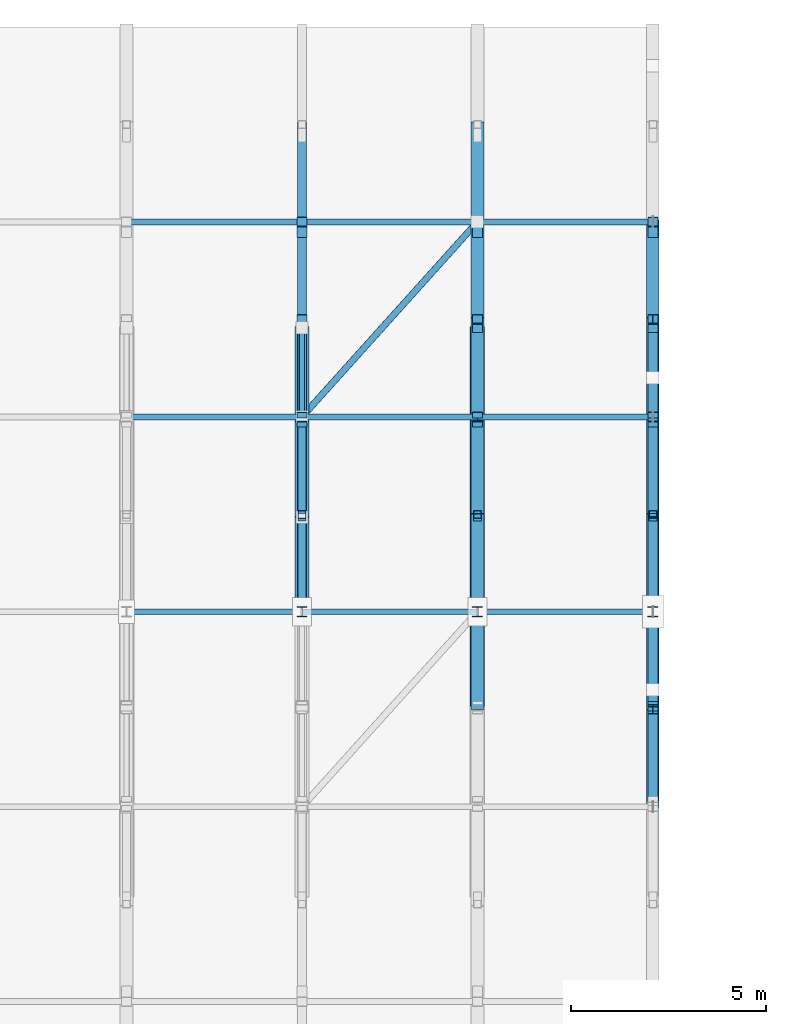
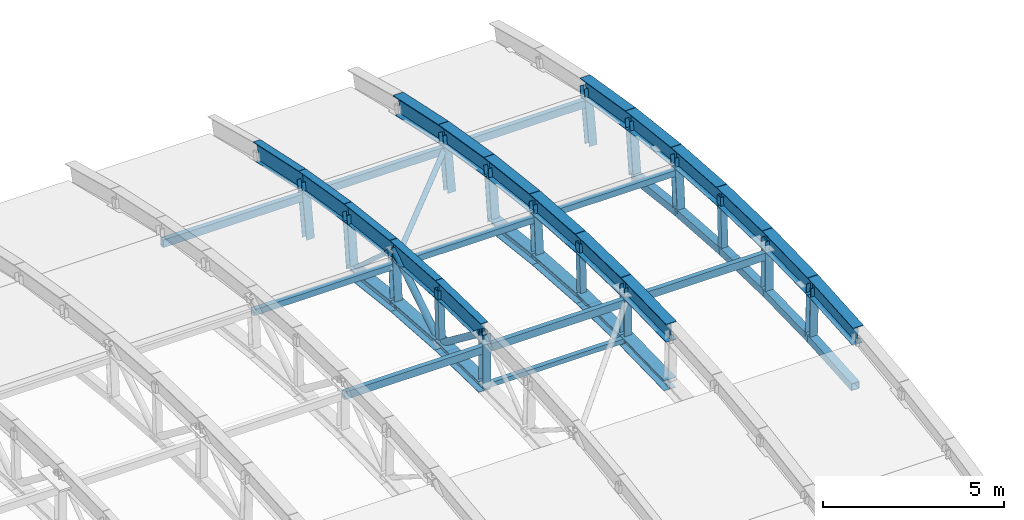
# One storey, part 28 of 53: 42 members, 17 beams.
"""IFC4 building model written with IfcOpenShell, lengths in metres."""

from ifc_helpers import new_model, si_unit, direction, frame, origin, origin_2d, place, context, subcontext, project, spatial, hollow_rectangle, hollow_circle, i_section, extrude, material, material_profile, profile_set, type_object, element, save


model = new_model("IFC4")

# Units and contexts
model_context = context("Model", 3, precision=1e-05, world=origin(), true_north=direction((0.0, 1.0)))
body_context = subcontext(model_context, "Body", "Model", "MODEL_VIEW")
ifc_project = project(units=[si_unit("LENGTHUNIT", "METRE"), si_unit("AREAUNIT", "SQUARE_METRE"), si_unit("VOLUMEUNIT", "CUBIC_METRE"), si_unit("PLANEANGLEUNIT", "RADIAN"), si_unit("MASSUNIT", "GRAM", prefix="KILO")], contexts=[model_context])

# Site, building, storey
site_placement = place(None, origin())
site = spatial("IfcSite", under=ifc_project, at=site_placement, CompositionType="ELEMENT")
building_placement = place(site_placement, origin())
building = spatial("IfcBuilding", under=site, at=building_placement, Name="Cazmaro Siding Exhibition Halls", CompositionType="ELEMENT")
storey_placement = place(building_placement, frame((0.0, 0.0, 21.0)))
storey = spatial("IfcBuildingStorey", under=building, at=storey_placement, Name="L04", CompositionType="ELEMENT", Elevation=21.0)

# Beams
ifc_material_1 = material(Name="Steel ASTM A992 Grade 50", Category="steel")
ifc_material_profile_1 = material_profile(ifc_material_1, i_section(OverallWidth=0.327880859375, OverallDepth=0.626953125, WebThickness=0.01708984375, FlangeThickness=0.028076171875, at=origin_2d()), Name="W24X146")
ifc_profile_set_1 = profile_set([ifc_material_profile_1], Name="Steel ASTM A992 Grade 50")
beam_type_1 = type_object("IfcBeamType", Name="AR-01", PredefinedType="USERDEFINED", material=ifc_profile_set_1)
for number, where, z_axis, x_axis, name in (
    (1, (166.5, 91.5, 2.44189453125), (0.0, 0.999730009742, 0.023235912336), (-1.0, 0.0, 0.0), "Space frame barrel vault arched rib AR-01 BM-1194"),
    (2, (166.5, 94.0, 2.5), (0.0, 0.999730009742, -0.023235912336), (-1.0, 0.0, 0.0), "Space frame barrel vault arched rib AR-01 BM-1195"),
):
    element("IfcBeam", number, at=place(storey_placement, frame(where, z_axis=z_axis, x_axis=x_axis)), inside=storey, type_object=beam_type_1, Name=name, ObjectType="ARCHED RIB", PredefinedType="USERDEFINED", context=body_context, shape_type="SweptSolid", body=[
        extrude(i_section(OverallWidth=0.327880859375, OverallDepth=0.626953125, WebThickness=0.01708984375, FlangeThickness=0.028076171875, at=origin_2d()), origin(), (0.0, 0.0, 1.0), 2.500732421875),
    ])
beam_1_placement = place(storey_placement, frame((166.5, 96.5, 2.44189453125), z_axis=(0.0, 0.997537204184, -0.070139334669), x_axis=(-1.0, 0.0, 0.0)))
element("IfcBeam", 3, at=beam_1_placement, inside=storey, type_object=beam_type_1, Name="Space frame barrel vault arched rib AR-01 BM-1196", ObjectType="ARCHED RIB", PredefinedType="USERDEFINED", context=body_context, shape_type="SweptSolid", body=[
    extrude(i_section(OverallWidth=0.327880859375, OverallDepth=0.626953125, WebThickness=0.01708984375, FlangeThickness=0.028076171875, at=origin_2d()), origin(), (0.0, 0.0, 1.0), 2.506103515625),
])
beam_2_placement = place(storey_placement, frame((166.5, 99.0, 2.26611328125), z_axis=(0.0, 0.993147293786, -0.116869383693), x_axis=(-1.0, 0.0, 0.0)))
element("IfcBeam", 4, at=beam_2_placement, inside=storey, type_object=beam_type_1, Name="Space frame barrel vault arched rib AR-01 BM-1197", ObjectType="ARCHED RIB", PredefinedType="USERDEFINED", context=body_context, shape_type="SweptSolid", body=[
    extrude(i_section(OverallWidth=0.327880859375, OverallDepth=0.626953125, WebThickness=0.01708984375, FlangeThickness=0.028076171875, at=origin_2d()), origin(), (0.0, 0.0, 1.0), 2.517333984375),
])
beam_3_placement = place(storey_placement, frame((166.5, 101.5, 1.971923828125), z_axis=(0.0, 0.98649787474, -0.163774061236), x_axis=(-1.0, 0.0, 0.0)))
element("IfcBeam", 5, at=beam_3_placement, inside=storey, type_object=beam_type_1, Name="Space frame barrel vault arched rib AR-01 BM-1198", ObjectType="ARCHED RIB", PredefinedType="USERDEFINED", context=body_context, shape_type="SweptSolid", body=[
    extrude(i_section(OverallWidth=0.327880859375, OverallDepth=0.626953125, WebThickness=0.01708984375, FlangeThickness=0.028076171875, at=origin_2d()), origin(), (0.0, 0.0, 1.0), 2.5341796875),
])
beam_4_placement = place(storey_placement, frame((166.5, 104.0, 1.556884765625), z_axis=(0.0, 0.977710100146, -0.209959424826), x_axis=(-1.0, 0.0, 0.0)))
element("IfcBeam", 6, at=beam_4_placement, inside=storey, type_object=beam_type_1, Name="Space frame barrel vault arched rib AR-01 BM-1199", ObjectType="ARCHED RIB", PredefinedType="USERDEFINED", context=body_context, shape_type="SweptSolid", body=[
    extrude(i_section(OverallWidth=0.327880859375, OverallDepth=0.626953125, WebThickness=0.01708984375, FlangeThickness=0.028076171875, at=origin_2d()), origin(), (0.0, 0.0, 1.0), 2.556884765625),
])
ifc_material_2 = material(Name="Steel ASTM A992 Grade 50", Category="steel")
ifc_material_profile_2 = material_profile(ifc_material_2, i_section(OverallWidth=0.324951171875, OverallDepth=0.612060546875, WebThickness=0.012939453125, FlangeThickness=0.01904296875, at=origin_2d()), Name="W24X104")
ifc_profile_set_2 = profile_set([ifc_material_profile_2], Name="Steel ASTM A992 Grade 50")
beam_type_2 = type_object("IfcBeamType", Name="AR-02", PredefinedType="USERDEFINED", material=ifc_profile_set_2)
beam_5_placement = place(storey_placement, frame((171.0, 89.0, 2.26611328125), z_axis=(0.0, 0.997537204184, 0.070139334669), x_axis=(-1.0, 0.0, 0.0)))
element("IfcBeam", 7, at=beam_5_placement, inside=storey, type_object=beam_type_2, Name="Space frame barrel vault arched rib AR-02 BM-1217", ObjectType="ARCHED RIB", PredefinedType="USERDEFINED", context=body_context, shape_type="SweptSolid", body=[
    extrude(i_section(OverallWidth=0.324951171875, OverallDepth=0.612060546875, WebThickness=0.012939453125, FlangeThickness=0.01904296875, at=origin_2d()), origin(), (0.0, 0.0, 1.0), 2.506103515625),
])
for number, where, z_axis, x_axis, name in (
    (8, (171.0, 91.5, 2.44189453125), (0.0, 0.999730009742, 0.023235912336), (-1.0, 0.0, 0.0), "Space frame barrel vault arched rib AR-02 BM-1218"),
    (9, (171.0, 94.0, 2.5), (0.0, 0.999730009742, -0.023235912336), (-1.0, 0.0, 0.0), "Space frame barrel vault arched rib AR-02 BM-1219"),
):
    element("IfcBeam", number, at=place(storey_placement, frame(where, z_axis=z_axis, x_axis=x_axis)), inside=storey, type_object=beam_type_2, Name=name, ObjectType="ARCHED RIB", PredefinedType="USERDEFINED", context=body_context, shape_type="SweptSolid", body=[
        extrude(i_section(OverallWidth=0.324951171875, OverallDepth=0.612060546875, WebThickness=0.012939453125, FlangeThickness=0.01904296875, at=origin_2d()), origin(), (0.0, 0.0, 1.0), 2.500732421875),
    ])
beam_6_placement = place(storey_placement, frame((171.0, 96.5, 2.44189453125), z_axis=(0.0, 0.997537204184, -0.070139334669), x_axis=(-1.0, 0.0, 0.0)))
element("IfcBeam", 10, at=beam_6_placement, inside=storey, type_object=beam_type_2, Name="Space frame barrel vault arched rib AR-02 BM-1220", ObjectType="ARCHED RIB", PredefinedType="USERDEFINED", context=body_context, shape_type="SweptSolid", body=[
    extrude(i_section(OverallWidth=0.324951171875, OverallDepth=0.612060546875, WebThickness=0.012939453125, FlangeThickness=0.01904296875, at=origin_2d()), origin(), (0.0, 0.0, 1.0), 2.506103515625),
])
beam_7_placement = place(storey_placement, frame((171.0, 99.0, 2.26611328125), z_axis=(0.0, 0.993147293786, -0.116869383693), x_axis=(-1.0, 0.0, 0.0)))
element("IfcBeam", 11, at=beam_7_placement, inside=storey, type_object=beam_type_2, Name="Space frame barrel vault arched rib AR-02 BM-1221", ObjectType="ARCHED RIB", PredefinedType="USERDEFINED", context=body_context, shape_type="SweptSolid", body=[
    extrude(i_section(OverallWidth=0.324951171875, OverallDepth=0.612060546875, WebThickness=0.012939453125, FlangeThickness=0.01904296875, at=origin_2d()), origin(), (0.0, 0.0, 1.0), 2.517333984375),
])
beam_8_placement = place(storey_placement, frame((171.0, 101.5, 1.971923828125), z_axis=(0.0, 0.98649787474, -0.163774061236), x_axis=(-1.0, 0.0, 0.0)))
element("IfcBeam", 12, at=beam_8_placement, inside=storey, type_object=beam_type_2, Name="Space frame barrel vault arched rib AR-02 BM-1222", ObjectType="ARCHED RIB", PredefinedType="USERDEFINED", context=body_context, shape_type="SweptSolid", body=[
    extrude(i_section(OverallWidth=0.324951171875, OverallDepth=0.612060546875, WebThickness=0.012939453125, FlangeThickness=0.01904296875, at=origin_2d()), origin(), (0.0, 0.0, 1.0), 2.5341796875),
])
ifc_material_3 = material(Name="Steel ASTM A992 Grade 50", Category="steel")
ifc_material_profile_3 = material_profile(ifc_material_3, i_section(OverallWidth=0.22900390625, OverallDepth=0.612060546875, WebThickness=0.011962890625, FlangeThickness=0.02001953125, at=origin_2d()), Name="W24X84")
ifc_profile_set_3 = profile_set([ifc_material_profile_3], Name="Steel ASTM A992 Grade 50")
beam_type_3 = type_object("IfcBeamType", Name="AR-03", PredefinedType="USERDEFINED", material=ifc_profile_set_3)
beam_9_placement = place(storey_placement, frame((162.0, 94.0, 2.5), z_axis=(0.0, 0.999730009742, -0.023235912336), x_axis=(-1.0, 0.0, 0.0)))
element("IfcBeam", 13, at=beam_9_placement, inside=storey, type_object=beam_type_3, Name="Space frame barrel vault arched rib AR-03 BM-1171", ObjectType="ARCHED RIB", PredefinedType="USERDEFINED", context=body_context, shape_type="SweptSolid", body=[
    extrude(i_section(OverallWidth=0.22900390625, OverallDepth=0.612060546875, WebThickness=0.011962890625, FlangeThickness=0.02001953125, at=origin_2d()), origin(), (0.0, 0.0, 1.0), 2.500732421875),
])
beam_10_placement = place(storey_placement, frame((162.0, 96.5, 2.44189453125), z_axis=(0.0, 0.997537204184, -0.070139334669), x_axis=(-1.0, 0.0, 0.0)))
element("IfcBeam", 14, at=beam_10_placement, inside=storey, type_object=beam_type_3, Name="Space frame barrel vault arched rib AR-03 BM-1172", ObjectType="ARCHED RIB", PredefinedType="USERDEFINED", context=body_context, shape_type="SweptSolid", body=[
    extrude(i_section(OverallWidth=0.22900390625, OverallDepth=0.612060546875, WebThickness=0.011962890625, FlangeThickness=0.02001953125, at=origin_2d()), origin(), (0.0, 0.0, 1.0), 2.506103515625),
])
beam_11_placement = place(storey_placement, frame((162.0, 99.0, 2.26611328125), z_axis=(0.0, 0.993147293786, -0.116869383693), x_axis=(-1.0, 0.0, 0.0)))
element("IfcBeam", 15, at=beam_11_placement, inside=storey, type_object=beam_type_3, Name="Space frame barrel vault arched rib AR-03 BM-1173", ObjectType="ARCHED RIB", PredefinedType="USERDEFINED", context=body_context, shape_type="SweptSolid", body=[
    extrude(i_section(OverallWidth=0.22900390625, OverallDepth=0.612060546875, WebThickness=0.011962890625, FlangeThickness=0.02001953125, at=origin_2d()), origin(), (0.0, 0.0, 1.0), 2.517333984375),
])
beam_12_placement = place(storey_placement, frame((162.0, 101.5, 1.971923828125), z_axis=(0.0, 0.98649787474, -0.163774061236), x_axis=(-1.0, 0.0, 0.0)))
element("IfcBeam", 16, at=beam_12_placement, inside=storey, type_object=beam_type_3, Name="Space frame barrel vault arched rib AR-03 BM-1174", ObjectType="ARCHED RIB", PredefinedType="USERDEFINED", context=body_context, shape_type="SweptSolid", body=[
    extrude(i_section(OverallWidth=0.22900390625, OverallDepth=0.612060546875, WebThickness=0.011962890625, FlangeThickness=0.02001953125, at=origin_2d()), origin(), (0.0, 0.0, 1.0), 2.5341796875),
])
beam_13_placement = place(storey_placement, frame((162.0, 104.0, 1.556884765625), z_axis=(0.0, 0.977710100146, -0.209959424826), x_axis=(-1.0, 0.0, 0.0)))
element("IfcBeam", 17, at=beam_13_placement, inside=storey, type_object=beam_type_3, Name="Space frame barrel vault arched rib AR-03 BM-1175", ObjectType="ARCHED RIB", PredefinedType="USERDEFINED", context=body_context, shape_type="SweptSolid", body=[
    extrude(i_section(OverallWidth=0.22900390625, OverallDepth=0.612060546875, WebThickness=0.011962890625, FlangeThickness=0.02001953125, at=origin_2d()), origin(), (0.0, 0.0, 1.0), 2.556884765625),
])

# Members
ifc_material_4 = material(Name="Steel ASTM A500 Grade C", Category="steel")
ifc_material_profile_4 = material_profile(ifc_material_4, hollow_rectangle(XDim=0.152099609375, YDim=0.152099609375, WallThickness=0.009033203125, at=origin_2d()), Name="HSS6X6X3/8")
ifc_profile_set_4 = profile_set([ifc_material_profile_4], Name="Steel ASTM A500 Grade C")
member_type_1 = type_object("IfcMemberType", Name="CS-01", PredefinedType="STRUT", material=ifc_profile_set_4)
member_1_placement = place(storey_placement, frame((162.0, 94.0, 0.699951171875), z_axis=(1.0, 0.0, 0.0), x_axis=(0.0, 1.0, 0.0)))
element("IfcMember", 18, at=member_1_placement, inside=storey, type_object=member_type_1, Name="Space frame vault ridge compression strut CS-01 MEM-2289", PredefinedType="STRUT", context=body_context, shape_type="SweptSolid", body=[
    extrude(hollow_rectangle(XDim=0.152099609375, YDim=0.152099609375, WallThickness=0.009033203125, at=origin_2d()), origin(), (0.0, 0.0, 1.0), 4.5),
])
ifc_material_5 = material(Name="Steel ASTM A500 Grade C", Category="steel")
ifc_material_profile_5 = material_profile(ifc_material_5, hollow_rectangle(XDim=0.152099609375, YDim=0.202880859375, WallThickness=0.011962890625, at=origin_2d()), Name="HSS8X6X1/2")
ifc_profile_set_5 = profile_set([ifc_material_profile_5], Name="Steel ASTM A500 Grade C")
member_type_2 = type_object("IfcMemberType", Name="RP-01", PredefinedType="PURLIN", material=ifc_profile_set_5)
for number, where, z_axis, x_axis, name in (
    (19, (157.5, 99.0, 1.72607421875), (1.0, 0.0, 0.0), (0.0, 1.0, 0.0), "Space frame barrel vault purlin RP-01 MEM-2269"),
    (20, (162.0, 99.0, 1.72607421875), (1.0, 0.0, 0.0), (0.0, 1.0, 0.0), "Space frame barrel vault purlin RP-01 MEM-2280"),
    (21, (166.5, 99.0, 1.72607421875), (1.0, 0.0, 0.0), (0.0, 1.0, 0.0), "Space frame barrel vault purlin RP-01 MEM-2297"),
):
    element("IfcMember", number, at=place(storey_placement, frame(where, z_axis=z_axis, x_axis=x_axis)), inside=storey, type_object=member_type_2, Name=name, PredefinedType="PURLIN", context=body_context, shape_type="SweptSolid", body=[
        extrude(hollow_rectangle(XDim=0.152099609375, YDim=0.202880859375, WallThickness=0.011962890625, at=origin_2d()), origin(), (0.0, 0.0, 1.0), 4.5),
    ])
ifc_material_6 = material(Name="Steel ASTM A500 Grade C", Category="steel")
ifc_material_profile_6 = material_profile(ifc_material_6, hollow_rectangle(XDim=0.152099609375, YDim=0.25390625, WallThickness=0.011962890625, at=origin_2d()), Name="HSS10X6X1/2")
ifc_profile_set_6 = profile_set([ifc_material_profile_6], Name="Steel ASTM A500 Grade C")
member_type_3 = type_object("IfcMemberType", Name="RP-04", PredefinedType="PURLIN", material=ifc_profile_set_6)
for number, where, z_axis, x_axis, name in (
    (22, (157.5, 94.0, 1.9599609375), (1.0, 0.0, 0.0), (0.0, 1.0, 0.0), "Space frame barrel vault purlin RP-04 MEM-2268"),
    (23, (157.5, 104.0, 1.01708984375), (1.0, 0.0, 0.0), (0.0, 1.0, 0.0), "Space frame barrel vault purlin RP-04 MEM-2270"),
    (24, (162.0, 94.0, 1.9599609375), (1.0, 0.0, 0.0), (0.0, 1.0, 0.0), "Space frame barrel vault purlin RP-04 MEM-2279"),
    (25, (162.0, 104.0, 1.01708984375), (1.0, 0.0, 0.0), (0.0, 1.0, 0.0), "Space frame barrel vault purlin RP-04 MEM-2281"),
    (26, (166.5, 94.0, 1.9599609375), (1.0, 0.0, 0.0), (0.0, 1.0, 0.0), "Space frame barrel vault purlin RP-04 MEM-2296"),
    (27, (166.5, 104.0, 1.01708984375), (1.0, 0.0, 0.0), (0.0, 1.0, 0.0), "Space frame barrel vault purlin RP-04 MEM-2298"),
):
    element("IfcMember", number, at=place(storey_placement, frame(where, z_axis=z_axis, x_axis=x_axis)), inside=storey, type_object=member_type_3, Name=name, PredefinedType="PURLIN", context=body_context, shape_type="SweptSolid", body=[
        extrude(hollow_rectangle(XDim=0.152099609375, YDim=0.25390625, WallThickness=0.011962890625, at=origin_2d()), origin(), (0.0, 0.0, 1.0), 4.5),
    ])
ifc_material_7 = material(Name="Steel ASTM A500 Grade C", Category="steel")
ifc_material_profile_7 = material_profile(ifc_material_7, hollow_rectangle(XDim=0.25390625, YDim=0.25390625, WallThickness=0.014892578125, at=origin_2d()), Name="HSS10X10X5/8")
ifc_profile_set_7 = profile_set([ifc_material_profile_7], Name="Steel ASTM A500 Grade C")
member_type_4 = type_object("IfcMemberType", Name="TC-01", PredefinedType="CHORD", material=ifc_profile_set_7)
member_2_placement = place(storey_placement, frame((171.0, 89.139892578125, 0.472900390625), z_axis=(0.0, 0.997529419526, 0.070249962135), x_axis=(-1.0, 0.0, 0.0)))
element("IfcMember", 28, at=member_2_placement, inside=storey, type_object=member_type_4, Name="Space frame barrel vault bottom chord TC-01 MEM-1927", PredefinedType="CHORD", context=body_context, shape_type="SweptSolid", body=[
    extrude(hollow_rectangle(XDim=0.25390625, YDim=0.25390625, WallThickness=0.014892578125, at=origin_2d()), origin(), (0.0, 0.0, 1.0), 2.436279296875),
])
for number, where, z_axis, x_axis, name in (
    (29, (171.0, 91.570068359375, 0.64404296875), (0.0, 0.99973541783, 0.023002050707), (-1.0, 0.0, 0.0), "Space frame barrel vault bottom chord TC-01 MEM-1928"),
    (30, (171.0, 94.0, 0.699951171875), (0.0, 0.99973541783, -0.023002050707), (-1.0, 0.0, 0.0), "Space frame barrel vault bottom chord TC-01 MEM-1929"),
):
    element("IfcMember", number, at=place(storey_placement, frame(where, z_axis=z_axis, x_axis=x_axis)), inside=storey, type_object=member_type_4, Name=name, PredefinedType="CHORD", context=body_context, shape_type="SweptSolid", body=[
        extrude(hollow_rectangle(XDim=0.25390625, YDim=0.25390625, WallThickness=0.014892578125, at=origin_2d()), origin(), (0.0, 0.0, 1.0), 2.4306640625),
    ])
member_3_placement = place(storey_placement, frame((171.0, 96.429931640625, 0.64404296875), z_axis=(0.0, 0.997529419526, -0.070249962135), x_axis=(-1.0, 0.0, 0.0)))
element("IfcMember", 31, at=member_3_placement, inside=storey, type_object=member_type_4, Name="Space frame barrel vault bottom chord TC-01 MEM-1930", PredefinedType="CHORD", context=body_context, shape_type="SweptSolid", body=[
    extrude(hollow_rectangle(XDim=0.25390625, YDim=0.25390625, WallThickness=0.014892578125, at=origin_2d()), origin(), (0.0, 0.0, 1.0), 2.436279296875),
])
member_4_placement = place(storey_placement, frame((171.0, 98.860107421875, 0.472900390625), z_axis=(0.0, 0.993149923187, -0.116847037079), x_axis=(-1.0, 0.0, 0.0)))
element("IfcMember", 32, at=member_4_placement, inside=storey, type_object=member_type_4, Name="Space frame barrel vault bottom chord TC-01 MEM-1931", PredefinedType="CHORD", context=body_context, shape_type="SweptSolid", body=[
    extrude(hollow_rectangle(XDim=0.25390625, YDim=0.25390625, WallThickness=0.014892578125, at=origin_2d()), origin(), (0.0, 0.0, 1.0), 2.44677734375),
])
ifc_material_8 = material(Name="Steel ASTM A992 Grade 50", Category="steel")
ifc_material_profile_8 = material_profile(ifc_material_8, i_section(OverallWidth=0.37109375, OverallDepth=0.364013671875, WebThickness=0.012939453125, FlangeThickness=0.02197265625, at=origin_2d()), Name="W14X109")
ifc_profile_set_8 = profile_set([ifc_material_profile_8], Name="Steel ASTM A992 Grade 50")
member_type_5 = type_object("IfcMemberType", Name="TC-06", PredefinedType="CHORD", material=ifc_profile_set_8)
member_5_placement = place(storey_placement, frame((162.0, 94.0, 0.699951171875), z_axis=(0.0, 0.99973541783, -0.023002050707), x_axis=(-1.0, 0.0, 0.0)))
element("IfcMember", 33, at=member_5_placement, inside=storey, type_object=member_type_5, Name="Space frame barrel vault bottom chord TC-06 MEM-1823", PredefinedType="CHORD", context=body_context, shape_type="SweptSolid", body=[
    extrude(i_section(OverallWidth=0.37109375, OverallDepth=0.364013671875, WebThickness=0.012939453125, FlangeThickness=0.02197265625, at=origin_2d()), origin(), (0.0, 0.0, 1.0), 2.4306640625),
])
member_6_placement = place(storey_placement, frame((162.0, 96.429931640625, 0.64404296875), z_axis=(0.0, 0.997529419526, -0.070249962135), x_axis=(-1.0, 0.0, 0.0)))
element("IfcMember", 34, at=member_6_placement, inside=storey, type_object=member_type_5, Name="Space frame barrel vault bottom chord TC-06 MEM-1825", PredefinedType="CHORD", context=body_context, shape_type="SweptSolid", body=[
    extrude(i_section(OverallWidth=0.37109375, OverallDepth=0.364013671875, WebThickness=0.012939453125, FlangeThickness=0.02197265625, at=origin_2d()), origin(), (0.0, 0.0, 1.0), 2.436279296875),
])
member_7_placement = place(storey_placement, frame((162.0, 98.860107421875, 0.472900390625), z_axis=(0.0, 0.993149923187, -0.116847037079), x_axis=(-1.0, 0.0, 0.0)))
element("IfcMember", 35, at=member_7_placement, inside=storey, type_object=member_type_5, Name="Space frame barrel vault bottom chord TC-06 MEM-1827", PredefinedType="CHORD", context=body_context, shape_type="SweptSolid", body=[
    extrude(i_section(OverallWidth=0.37109375, OverallDepth=0.364013671875, WebThickness=0.012939453125, FlangeThickness=0.02197265625, at=origin_2d()), origin(), (0.0, 0.0, 1.0), 2.44677734375),
])
for number, where, z_axis, x_axis, name in (
    (36, (166.5, 91.570068359375, 0.64404296875), (0.0, 0.99973541783, 0.023002050707), (-1.0, 0.0, 0.0), "Space frame barrel vault bottom chord TC-06 MEM-1881"),
    (37, (166.5, 94.0, 0.699951171875), (0.0, 0.99973541783, -0.023002050707), (-1.0, 0.0, 0.0), "Space frame barrel vault bottom chord TC-06 MEM-1882"),
):
    element("IfcMember", number, at=place(storey_placement, frame(where, z_axis=z_axis, x_axis=x_axis)), inside=storey, type_object=member_type_5, Name=name, PredefinedType="CHORD", context=body_context, shape_type="SweptSolid", body=[
        extrude(i_section(OverallWidth=0.37109375, OverallDepth=0.364013671875, WebThickness=0.012939453125, FlangeThickness=0.02197265625, at=origin_2d()), origin(), (0.0, 0.0, 1.0), 2.4306640625),
    ])
member_8_placement = place(storey_placement, frame((166.5, 96.429931640625, 0.64404296875), z_axis=(0.0, 0.997529419526, -0.070249962135), x_axis=(-1.0, 0.0, 0.0)))
element("IfcMember", 38, at=member_8_placement, inside=storey, type_object=member_type_5, Name="Space frame barrel vault bottom chord TC-06 MEM-1883", PredefinedType="CHORD", context=body_context, shape_type="SweptSolid", body=[
    extrude(i_section(OverallWidth=0.37109375, OverallDepth=0.364013671875, WebThickness=0.012939453125, FlangeThickness=0.02197265625, at=origin_2d()), origin(), (0.0, 0.0, 1.0), 2.436279296875),
])
member_9_placement = place(storey_placement, frame((166.5, 98.860107421875, 0.472900390625), z_axis=(0.0, 0.993149923187, -0.116847037079), x_axis=(-1.0, 0.0, 0.0)))
element("IfcMember", 39, at=member_9_placement, inside=storey, type_object=member_type_5, Name="Space frame barrel vault bottom chord TC-06 MEM-1884", PredefinedType="CHORD", context=body_context, shape_type="SweptSolid", body=[
    extrude(i_section(OverallWidth=0.37109375, OverallDepth=0.364013671875, WebThickness=0.012939453125, FlangeThickness=0.02197265625, at=origin_2d()), origin(), (0.0, 0.0, 1.0), 2.44677734375),
])
ifc_material_9 = material(Name="Steel ASTM A500 Grade C", Category="steel")
ifc_material_profile_9 = material_profile(ifc_material_9, hollow_rectangle(XDim=0.202880859375, YDim=0.202880859375, WallThickness=0.011962890625, at=origin_2d()), Name="HSS8X8X1/2")
ifc_profile_set_9 = profile_set([ifc_material_profile_9], Name="Steel ASTM A500 Grade C")
member_type_6 = type_object("IfcMemberType", Name="TP-01", PredefinedType="POST", material=ifc_profile_set_9)
for number, where, z_axis, x_axis, name in (
    (40, (162.0, 96.429931640625, 0.64404296875), (0.0, 0.038943818889, 0.999241401749), (-1.0, 0.0, 0.0), "Space frame barrel vault post TP-01 MEM-1859"),
    (41, (166.5, 96.429931640625, 0.64404296875), (0.0, 0.038943818889, 0.999241401749), (-1.0, 0.0, 0.0), "Space frame barrel vault post TP-01 MEM-1906"),
    (42, (171.0, 96.429931640625, 0.64404296875), (0.0, 0.038943818889, 0.999241401749), (-1.0, 0.0, 0.0), "Space frame barrel vault post TP-01 MEM-1953"),
):
    element("IfcMember", number, at=place(storey_placement, frame(where, z_axis=z_axis, x_axis=x_axis)), inside=storey, type_object=member_type_6, Name=name, PredefinedType="POST", context=body_context, shape_type="SweptSolid", body=[
        extrude(hollow_rectangle(XDim=0.202880859375, YDim=0.202880859375, WallThickness=0.011962890625, at=origin_2d()), origin(), (0.0, 0.0, 1.0), 1.79931640625),
    ])
ifc_material_10 = material(Name="Steel ASTM A992 Grade 50", Category="steel")
ifc_material_profile_10 = material_profile(ifc_material_10, i_section(OverallWidth=0.25390625, OverallDepth=0.25390625, WebThickness=0.009033203125, FlangeThickness=0.013916015625, at=origin_2d()), Name="W10X49")
ifc_profile_set_10 = profile_set([ifc_material_profile_10], Name="Steel ASTM A992 Grade 50")
member_type_7 = type_object("IfcMemberType", Name="TP-04", PredefinedType="POST", material=ifc_profile_set_10)
member_10_placement = place(storey_placement, frame((162.0, 94.0, 0.699951171875), z_axis=(0.0, 0.0, 1.0), x_axis=(1.0, 0.0, 0.0)))
element("IfcMember", 43, at=member_10_placement, inside=storey, type_object=member_type_7, Name="Space frame barrel vault post TP-04 MEM-1858", PredefinedType="POST", context=body_context, shape_type="SweptSolid", body=[
    extrude(i_section(OverallWidth=0.25390625, OverallDepth=0.25390625, WebThickness=0.009033203125, FlangeThickness=0.013916015625, at=origin_2d()), origin(), (0.0, 0.0, 1.0), 1.800048828125),
])
member_11_placement = place(storey_placement, frame((162.0, 98.860107421875, 0.472900390625), z_axis=(0.0, 0.077775943468, 0.996970863475), x_axis=(-1.0, 0.0, 0.0)))
element("IfcMember", 44, at=member_11_placement, inside=storey, type_object=member_type_7, Name="Space frame barrel vault post TP-04 MEM-1860", PredefinedType="POST", context=body_context, shape_type="SweptSolid", body=[
    extrude(i_section(OverallWidth=0.25390625, OverallDepth=0.25390625, WebThickness=0.009033203125, FlangeThickness=0.013916015625, at=origin_2d()), origin(), (0.0, 0.0, 1.0), 1.798583984375),
])
member_12_placement = place(storey_placement, frame((162.0, 101.2900390625, 0.18701171875), z_axis=(0.0, 0.116825484133, 0.993152458718), x_axis=(-1.0, 0.0, 0.0)))
element("IfcMember", 45, at=member_12_placement, inside=storey, type_object=member_type_7, Name="Space frame barrel vault post TP-04 MEM-1861", PredefinedType="POST", context=body_context, shape_type="SweptSolid", body=[
    extrude(i_section(OverallWidth=0.25390625, OverallDepth=0.25390625, WebThickness=0.009033203125, FlangeThickness=0.013916015625, at=origin_2d()), origin(), (0.0, 0.0, 1.0), 1.797119140625),
])
member_13_placement = place(storey_placement, frame((162.0, 103.719970703125, -0.217041015625), z_axis=(0.0, 0.155927668857, 0.987768475952), x_axis=(-1.0, 0.0, 0.0)))
element("IfcMember", 46, at=member_13_placement, inside=storey, type_object=member_type_7, Name="Space frame barrel vault post TP-04 MEM-1862", PredefinedType="POST", context=body_context, shape_type="SweptSolid", body=[
    extrude(i_section(OverallWidth=0.25390625, OverallDepth=0.25390625, WebThickness=0.009033203125, FlangeThickness=0.013916015625, at=origin_2d()), origin(), (0.0, 0.0, 1.0), 1.7958984375),
])
member_14_placement = place(storey_placement, frame((166.5, 94.0, 0.699951171875), z_axis=(0.0, 0.0, 1.0), x_axis=(1.0, 0.0, 0.0)))
element("IfcMember", 47, at=member_14_placement, inside=storey, type_object=member_type_7, Name="Space frame barrel vault post TP-04 MEM-1905", PredefinedType="POST", context=body_context, shape_type="SweptSolid", body=[
    extrude(i_section(OverallWidth=0.25390625, OverallDepth=0.25390625, WebThickness=0.009033203125, FlangeThickness=0.013916015625, at=origin_2d()), origin(), (0.0, 0.0, 1.0), 1.800048828125),
])
member_15_placement = place(storey_placement, frame((166.5, 98.860107421875, 0.472900390625), z_axis=(0.0, 0.077775943468, 0.996970863475), x_axis=(-1.0, 0.0, 0.0)))
element("IfcMember", 48, at=member_15_placement, inside=storey, type_object=member_type_7, Name="Space frame barrel vault post TP-04 MEM-1907", PredefinedType="POST", context=body_context, shape_type="SweptSolid", body=[
    extrude(i_section(OverallWidth=0.25390625, OverallDepth=0.25390625, WebThickness=0.009033203125, FlangeThickness=0.013916015625, at=origin_2d()), origin(), (0.0, 0.0, 1.0), 1.798583984375),
])
member_16_placement = place(storey_placement, frame((166.5, 101.2900390625, 0.18701171875), z_axis=(0.0, 0.116825484133, 0.993152458718), x_axis=(-1.0, 0.0, 0.0)))
element("IfcMember", 49, at=member_16_placement, inside=storey, type_object=member_type_7, Name="Space frame barrel vault post TP-04 MEM-1908", PredefinedType="POST", context=body_context, shape_type="SweptSolid", body=[
    extrude(i_section(OverallWidth=0.25390625, OverallDepth=0.25390625, WebThickness=0.009033203125, FlangeThickness=0.013916015625, at=origin_2d()), origin(), (0.0, 0.0, 1.0), 1.797119140625),
])
member_17_placement = place(storey_placement, frame((166.5, 103.719970703125, -0.217041015625), z_axis=(0.0, 0.155927668857, 0.987768475952), x_axis=(-1.0, 0.0, 0.0)))
element("IfcMember", 50, at=member_17_placement, inside=storey, type_object=member_type_7, Name="Space frame barrel vault post TP-04 MEM-1909", PredefinedType="POST", context=body_context, shape_type="SweptSolid", body=[
    extrude(i_section(OverallWidth=0.25390625, OverallDepth=0.25390625, WebThickness=0.009033203125, FlangeThickness=0.013916015625, at=origin_2d()), origin(), (0.0, 0.0, 1.0), 1.7958984375),
])
member_18_placement = place(storey_placement, frame((171.0, 91.570068359375, 0.64404296875), z_axis=(0.0, -0.038943818889, 0.999241401749), x_axis=(1.0, 0.0, 0.0)))
element("IfcMember", 51, at=member_18_placement, inside=storey, type_object=member_type_7, Name="Space frame barrel vault post TP-04 MEM-1951", PredefinedType="POST", context=body_context, shape_type="SweptSolid", body=[
    extrude(i_section(OverallWidth=0.25390625, OverallDepth=0.25390625, WebThickness=0.009033203125, FlangeThickness=0.013916015625, at=origin_2d()), origin(), (0.0, 0.0, 1.0), 1.79931640625),
])
member_19_placement = place(storey_placement, frame((171.0, 94.0, 0.699951171875), z_axis=(0.0, 0.0, 1.0), x_axis=(1.0, 0.0, 0.0)))
element("IfcMember", 52, at=member_19_placement, inside=storey, type_object=member_type_7, Name="Space frame barrel vault post TP-04 MEM-1952", PredefinedType="POST", context=body_context, shape_type="SweptSolid", body=[
    extrude(i_section(OverallWidth=0.25390625, OverallDepth=0.25390625, WebThickness=0.009033203125, FlangeThickness=0.013916015625, at=origin_2d()), origin(), (0.0, 0.0, 1.0), 1.800048828125),
])
member_20_placement = place(storey_placement, frame((171.0, 98.860107421875, 0.472900390625), z_axis=(0.0, 0.077775943468, 0.996970863475), x_axis=(-1.0, 0.0, 0.0)))
element("IfcMember", 53, at=member_20_placement, inside=storey, type_object=member_type_7, Name="Space frame barrel vault post TP-04 MEM-1954", PredefinedType="POST", context=body_context, shape_type="SweptSolid", body=[
    extrude(i_section(OverallWidth=0.25390625, OverallDepth=0.25390625, WebThickness=0.009033203125, FlangeThickness=0.013916015625, at=origin_2d()), origin(), (0.0, 0.0, 1.0), 1.798583984375),
])
member_21_placement = place(storey_placement, frame((171.0, 101.2900390625, 0.18701171875), z_axis=(0.0, 0.116825484133, 0.993152458718), x_axis=(-1.0, 0.0, 0.0)))
element("IfcMember", 54, at=member_21_placement, inside=storey, type_object=member_type_7, Name="Space frame barrel vault post TP-04 MEM-1955", PredefinedType="POST", context=body_context, shape_type="SweptSolid", body=[
    extrude(i_section(OverallWidth=0.25390625, OverallDepth=0.25390625, WebThickness=0.009033203125, FlangeThickness=0.013916015625, at=origin_2d()), origin(), (0.0, 0.0, 1.0), 1.797119140625),
])
member_22_placement = place(storey_placement, frame((171.0, 103.719970703125, -0.217041015625), z_axis=(0.0, 0.155927668857, 0.987768475952), x_axis=(-1.0, 0.0, 0.0)))
element("IfcMember", 55, at=member_22_placement, inside=storey, type_object=member_type_7, Name="Space frame barrel vault post TP-04 MEM-1956", PredefinedType="POST", context=body_context, shape_type="SweptSolid", body=[
    extrude(i_section(OverallWidth=0.25390625, OverallDepth=0.25390625, WebThickness=0.009033203125, FlangeThickness=0.013916015625, at=origin_2d()), origin(), (0.0, 0.0, 1.0), 1.7958984375),
])
ifc_material_11 = material(Name="Steel ASTM A500 Grade C", Category="steel")
ifc_material_profile_11 = material_profile(ifc_material_11, hollow_circle(Radius=0.109619140625, WallThickness=0.012939453125, at=origin_2d()), Name="PIPE8XS")
ifc_profile_set_11 = profile_set([ifc_material_profile_11], Name="Steel ASTM A500 Grade C")
member_type_8 = type_object("IfcMemberType", Name="WB-01", PredefinedType="BRACE", material=ifc_profile_set_11)
member_23_placement = place(storey_placement, frame((162.0, 94.0, 2.5), z_axis=(0.0, 0.794708988455, -0.60699062898), x_axis=(-1.0, 0.0, 0.0)))
element("IfcMember", 56, at=member_23_placement, inside=storey, type_object=member_type_8, Name="Space frame barrel vault diagonal WB-01 MEM-1824", PredefinedType="BRACE", context=body_context, shape_type="SweptSolid", body=[
    extrude(hollow_circle(Radius=0.109619140625, WallThickness=0.012939453125, at=origin_2d()), origin(), (0.0, 0.0, 1.0), 3.0576171875),
])
member_24_placement = place(storey_placement, frame((162.0, 96.429931640625, 0.64404296875), z_axis=(0.0, 0.84565684294, 0.533726993872), x_axis=(-1.0, 0.0, 0.0)))
element("IfcMember", 57, at=member_24_placement, inside=storey, type_object=member_type_8, Name="Space frame barrel vault diagonal WB-01 MEM-1826", PredefinedType="BRACE", context=body_context, shape_type="SweptSolid", body=[
    extrude(hollow_circle(Radius=0.109619140625, WallThickness=0.012939453125, at=origin_2d()), origin(), (0.0, 0.0, 1.0), 3.0390625),
])
ifc_material_12 = material(Name="Steel ASTM A500 Grade C", Category="steel")
ifc_material_profile_12 = material_profile(ifc_material_12, hollow_circle(Radius=0.083984375, WallThickness=0.01806640625, at=origin_2d()), Name="PIPE6XXS")
ifc_profile_set_12 = profile_set([ifc_material_profile_12], Name="Steel ASTM A500 Grade C")
member_type_9 = type_object("IfcMemberType", Name="WB-05", PredefinedType="BRACE", material=ifc_profile_set_12)
member_25_placement = place(storey_placement, frame((162.0, 99.0, 1.72607421875), z_axis=(0.66527981217, 0.7391997913, -0.104816220407), x_axis=(-0.743294146247, 0.668964731622, 0.0)))
element("IfcMember", 58, at=member_25_placement, inside=storey, type_object=member_type_9, Name="Space frame barrel vault wind brace WB-05 MEM-2287", PredefinedType="BRACE", context=body_context, shape_type="SweptSolid", body=[
    extrude(hollow_circle(Radius=0.083984375, WallThickness=0.01806640625, at=origin_2d()), origin(), (0.0, 0.0, 1.0), 6.76416015625),
])
ifc_material_13 = material(Name="Steel ASTM A500 Grade C", Category="steel")
ifc_material_profile_13 = material_profile(ifc_material_13, hollow_circle(Radius=0.070556640625, WallThickness=0.01904296875, at=origin_2d()), Name="PIPE5XXS")
ifc_profile_set_13 = profile_set([ifc_material_profile_13], Name="Steel ASTM A500 Grade C")
member_type_10 = type_object("IfcMemberType", Name="WB-07", PredefinedType="BRACE", material=ifc_profile_set_13)
member_26_placement = place(storey_placement, frame((162.0, 99.0, 2.26611328125), z_axis=(0.0, 0.740382789782, -0.672185483772), x_axis=(-1.0, 0.0, 0.0)))
element("IfcMember", 59, at=member_26_placement, inside=storey, type_object=member_type_10, Name="Space frame barrel vault diagonal WB-07 MEM-1828", PredefinedType="BRACE", context=body_context, shape_type="SweptSolid", body=[
    extrude(hollow_circle(Radius=0.070556640625, WallThickness=0.01904296875, at=origin_2d()), origin(), (0.0, 0.0, 1.0), 3.093017578125),
])

save(model, "model.ifc")
